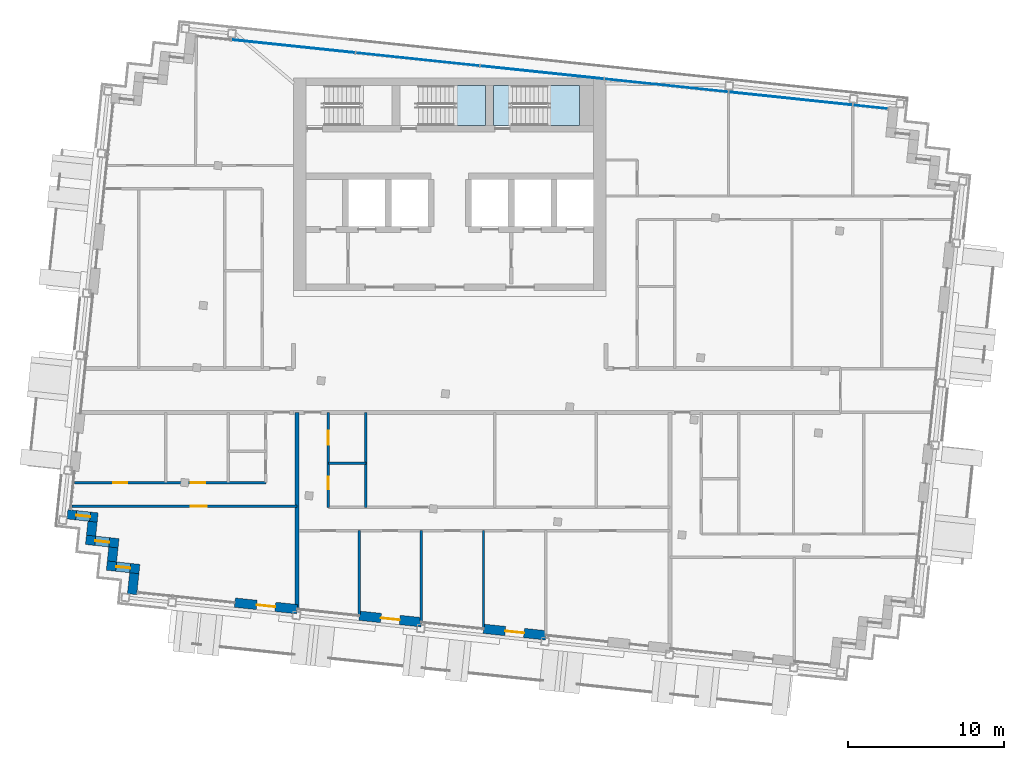
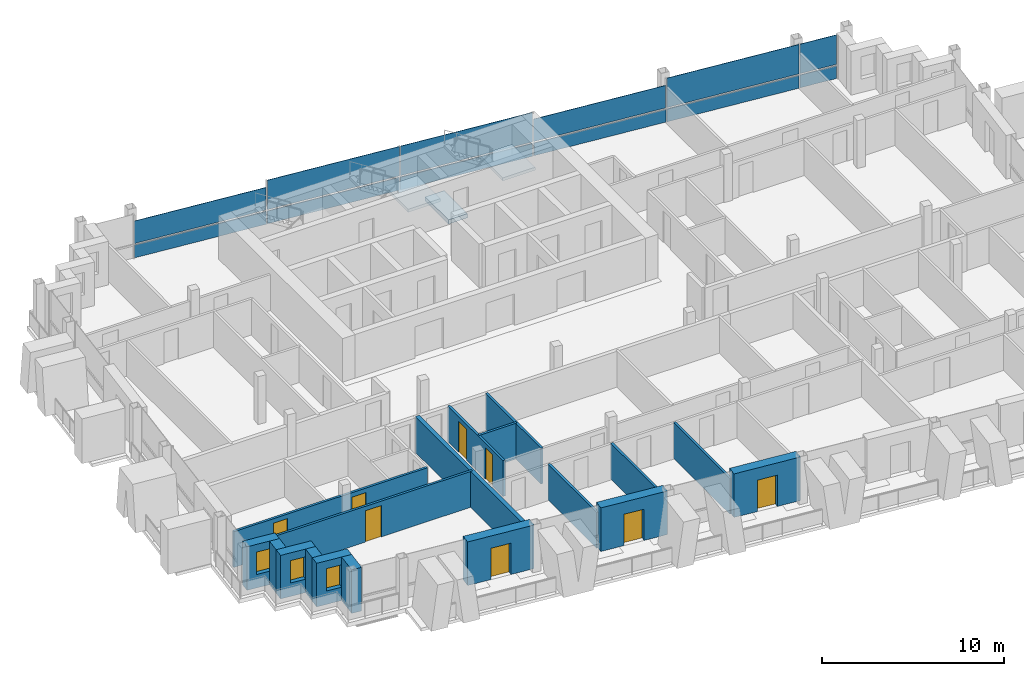
# One storey, part 8 of 16: 18 walls, 12 plates, 8 doors, 3 slabs, 3 windows, 11 openings, 3 elements without a shape of their own.
"""IFC4 building model written with IfcOpenShell, lengths in metres."""

import ifcopenshell
import ifcopenshell.guid

model = None  # the IFC model being written
_history = None  # IfcOwnerHistory: only IFC2X3 demands one
_inside = {}  # id of a spatial element -> (the spatial element, [elements in it])
_under = {}  # id of a project, library or spatial element -> (it, [spatial elements below it])
_declared = {}  # id of a project -> (the project, [libraries it declares])
_typed = {}  # id of a type object -> (the type object, [elements of that type])
_made_of = {}  # id of a material, layer set ... -> (it, [elements and type objects made of it])


def new_model(schema):
    """Start an empty IFC model of exactly this schema.

    Asked for "IFC4X3", IfcOpenShell would pick the latest addendum, in which some entities
    have other attributes; the version numbers below select the first issue.
    IFC2X3 requires an IfcOwnerHistory on every rooted entity: one is made here for all.
    """
    global model, _history
    if schema == "IFC4X3":
        model = ifcopenshell.file(schema_version=(4, 3, 0, 0))
    else:
        model = ifcopenshell.file(schema=schema)
    _inside.clear()
    _under.clear()
    _declared.clear()
    _typed.clear()
    _made_of.clear()
    _history = None
    if model.schema == "IFC2X3":
        org = make("IfcOrganization", Name="unknown")
        user = make(
            "IfcPersonAndOrganization",
            ThePerson=make("IfcPerson", FamilyName="unknown"),
            TheOrganization=org,
        )
        app = make(
            "IfcApplication",
            ApplicationDeveloper=org,
            Version="unknown",
            ApplicationFullName="unknown",
            ApplicationIdentifier="unknown",
        )
        _history = make(
            "IfcOwnerHistory",
            OwningUser=user,
            OwningApplication=app,
            ChangeAction="ADDED",
            CreationDate=0,
        )
    return model


def make(cls, **values):
    """One entity of the class cls with the attributes given. An attribute that is None is left unset."""
    return model.create_entity(
        cls, **{name: value for name, value in values.items() if value is not None}
    )


def rooted(cls, **values):
    """An entity with a GlobalId (a new one), such as an element, a storey or a relation."""
    return make(cls, GlobalId=ifcopenshell.guid.new(), OwnerHistory=_history, **values)


def si_unit(unit_type, name, prefix=None):
    """IfcSIUnit, for example si_unit("LENGTHUNIT", "METRE", prefix="MILLI")."""
    return make("IfcSIUnit", UnitType=unit_type, Prefix=prefix, Name=name)


def assignment(units):
    """IfcUnitAssignment: the units of a project."""
    return None if units is None else make("IfcUnitAssignment", Units=units)


def point(xyz):
    """IfcCartesianPoint."""
    return None if xyz is None else make("IfcCartesianPoint", Coordinates=xyz)


def direction(xyz):
    """IfcDirection."""
    return None if xyz is None else make("IfcDirection", DirectionRatios=xyz)


def frame(location, z_axis=None, x_axis=None):
    """IfcAxis2Placement3D, a coordinate frame: its origin and axes. An axis left out is left unset."""
    return make(
        "IfcAxis2Placement3D",
        Location=point(location),
        Axis=direction(z_axis),
        RefDirection=direction(x_axis),
    )


def frame_2d(location, x_axis=None):
    """IfcAxis2Placement2D, a coordinate frame in the plane: its origin and x axis."""
    return make(
        "IfcAxis2Placement2D", Location=point(location), RefDirection=direction(x_axis)
    )


def origin():
    """The frame at (0, 0, 0) with its axes left unset."""
    return frame((0.0, 0.0, 0.0))


def origin_2d():
    """The frame at (0, 0) in the plane with its x axis left unset."""
    return frame_2d((0.0, 0.0))


def place(relative_to, where):
    """IfcLocalPlacement: puts the frame where relative to a parent placement (None: the world)."""
    return make(
        "IfcLocalPlacement", PlacementRelTo=relative_to, RelativePlacement=where
    )


def context(
    kind, dimensions, precision=None, world=None, true_north=None, identifier=None
):
    """IfcGeometricRepresentationContext, for example the 3D "Model" context."""
    return make(
        "IfcGeometricRepresentationContext",
        ContextIdentifier=identifier,
        ContextType=kind,
        CoordinateSpaceDimension=dimensions,
        Precision=precision,
        WorldCoordinateSystem=world,
        TrueNorth=true_north,
    )


def subcontext(parent, identifier, kind, view, scale=None):
    """IfcGeometricRepresentationSubContext, for example "Body" below "Model"."""
    return make(
        "IfcGeometricRepresentationSubContext",
        ContextIdentifier=identifier,
        ContextType=kind,
        ParentContext=parent,
        TargetScale=scale,
        TargetView=view,
    )


def project(units=None, contexts=None):
    """IfcProject with its units and contexts."""
    return rooted(
        "IfcProject",
        Name="project",
        RepresentationContexts=contexts,
        UnitsInContext=assignment(units),
    )


def spatial(cls, under=None, at=None, **own):
    """A site, building, storey or space (cls), placed at a placement, below another one or the project."""
    s = rooted(cls, ObjectPlacement=at, **own)
    if under is not None:
        _under.setdefault(under.id(), (under, []))[1].append(s)
    return s


def polyline(points):
    """IfcPolyline through the points."""
    return make("IfcPolyline", Points=[point(p) for p in points])


def profile(cls, at=None, kind="AREA", **sizes):
    """A parametric profile (cls). Its sizes go by their IFC names, for example OverallWidth=200.0."""
    return make(cls, ProfileType=kind, Position=at, **sizes)


def rectangle(**sizes):
    """IfcRectangleProfileDef."""
    return profile("IfcRectangleProfileDef", **sizes)


def outline(outer, holes=None, kind="AREA"):
    """IfcArbitraryClosedProfileDef: a profile drawn as a closed curve; with holes, ...WithVoids."""
    if holes is None:
        return make("IfcArbitraryClosedProfileDef", ProfileType=kind, OuterCurve=outer)
    return make(
        "IfcArbitraryProfileDefWithVoids",
        ProfileType=kind,
        OuterCurve=outer,
        InnerCurves=holes,
    )


def extrude(swept, where, along, depth):
    """IfcExtrudedAreaSolid: the profile swept, set in the frame where, extruded along a direction by depth."""
    return make(
        "IfcExtrudedAreaSolid",
        SweptArea=swept,
        Position=where,
        ExtrudedDirection=direction(along),
        Depth=depth,
    )


def shape(context_of_items, identifier, shape_type, items):
    """IfcShapeRepresentation: the items that make up one representation, for example the "Body"."""
    return make(
        "IfcShapeRepresentation",
        ContextOfItems=context_of_items,
        RepresentationIdentifier=identifier,
        RepresentationType=shape_type,
        Items=items,
    )


def material(Name=None, Category=None):
    """IfcMaterial."""
    return make("IfcMaterial", Name=Name, Category=Category)


def layer(
    of_material, thickness, ventilated=None, Name=None, Category=None, Priority=None
):
    """IfcMaterialLayer: one layer of a wall or slab, of a material (None: an air gap)."""
    return make(
        "IfcMaterialLayer",
        Material=of_material,
        LayerThickness=thickness,
        IsVentilated=ventilated,
        Name=Name,
        Category=Category,
        Priority=Priority,
    )


def layer_set(layers, Name=None):
    """IfcMaterialLayerSet."""
    return make("IfcMaterialLayerSet", MaterialLayers=layers, LayerSetName=Name)


def made_of(thing, what):
    """Note that an element or type object is made of a material, layer set ...; save() writes the relation."""
    if what is not None:
        _made_of.setdefault(what.id(), (what, []))[1].append(thing)
    return thing


def type_object(cls, material=None, **own):
    """A type object (cls), such as IfcWallType, which elements share."""
    return made_of(rooted(cls, **own), material)


def element(
    cls,
    number,
    at=None,
    inside=None,
    cuts=None,
    type_object=None,
    material=None,
    context=None,
    identifier="Body",
    shape_type=None,
    held_by="IfcProductDefinitionShape",
    body=None,
    shapes=None,
    **own,
):
    """One element of the class cls, such as IfcWall. Its Tag is "e" and its number.

    at: its placement. inside: the storey or other place that contains it. cuts: it is an
    opening in that element (IfcRelVoidsElement). A single representation is given by context,
    identifier, shape_type and body (its items); several are given by shapes. held_by: the class
    of the entity that holds the representations. save() writes the other relations.
    """
    e = rooted(cls, Tag="e%d" % number, ObjectPlacement=at, **own)
    if body is not None:
        shapes = [shape(context, identifier, shape_type, body)]
    if shapes is not None:
        e.Representation = make(held_by, Representations=shapes)
    if inside is not None:
        _inside.setdefault(inside.id(), (inside, []))[1].append(e)
    if cuts is not None:
        rooted(
            "IfcRelVoidsElement", RelatingBuildingElement=cuts, RelatedOpeningElement=e
        )
    if type_object is not None:
        _typed.setdefault(type_object.id(), (type_object, []))[1].append(e)
    return made_of(e, material)


def fill(opening, filler):
    """IfcRelFillsElement: the door or window that sits in an opening."""
    return rooted(
        "IfcRelFillsElement",
        RelatingOpeningElement=opening,
        RelatedBuildingElement=filler,
    )


def aggregate(whole, parts):
    """IfcRelAggregates: a whole, such as a stair, and the parts it consists of."""
    return rooted("IfcRelAggregates", RelatingObject=whole, RelatedObjects=parts)


def save(model, path):
    """Write the relations noted so far, then the file.

    IfcRelAggregates (storeys below a building ...), IfcRelContainedInSpatialStructure (elements
    in a storey), IfcRelDefinesByType, IfcRelAssociatesMaterial and IfcRelDeclares: one each for
    every whole, place, type object, material and project.
    """
    for whole, parts in _under.values():
        aggregate(whole, parts)
    for where, things in _inside.values():
        rooted(
            "IfcRelContainedInSpatialStructure",
            RelatedElements=things,
            RelatingStructure=where,
        )
    for kind, things in _typed.values():
        rooted("IfcRelDefinesByType", RelatedObjects=things, RelatingType=kind)
    for what, things in _made_of.values():
        rooted("IfcRelAssociatesMaterial", RelatedObjects=things, RelatingMaterial=what)
    for by, libraries in _declared.values():
        rooted("IfcRelDeclares", RelatingContext=by, RelatedDefinitions=libraries)
    model.write(path)


model = new_model("IFC4")

# Units and contexts
model_context = context("Model", 3, precision=1e-05, world=origin(), true_north=direction((0.0, 1.0)))
body_context = subcontext(model_context, "Body", "Model", "MODEL_VIEW")
ifc_project = project(units=[si_unit("LENGTHUNIT", "METRE"), si_unit("AREAUNIT", "SQUARE_METRE"), si_unit("VOLUMEUNIT", "CUBIC_METRE"), si_unit("PLANEANGLEUNIT", "RADIAN"), si_unit("MASSUNIT", "GRAM", prefix="KILO")], contexts=[model_context])

# Site, building, storey
site_placement = place(None, origin())
site = spatial("IfcSite", under=ifc_project, at=site_placement, CompositionType="ELEMENT")
building_placement = place(site_placement, origin())
building = spatial("IfcBuilding", under=site, at=building_placement, Name="Vidyagriha Tower", CompositionType="ELEMENT")
storey_placement = place(building_placement, frame((0.0, 0.0, 256.300048828125)))
storey = spatial("IfcBuildingStorey", under=building, at=storey_placement, Name="L66", CompositionType="ELEMENT", Elevation=256.300048828125)

# Curtain wall, plates
ifc_material_1 = material(Name="Aluminium and glass curtain wall", Category="aluminium")
curtain_wall_type = type_object("IfcCurtainWallType", Name="Dwelling skin unitised curtain wall", PredefinedType="USERDEFINED", material=ifc_material_1)
curtain_wall_placement = place(storey_placement, origin())
curtain_wall = element("IfcCurtainWall", 1, at=curtain_wall_placement, inside=storey, type_object=curtain_wall_type, Name="CW1 dwelling skin", ObjectType="UNITISED", PredefinedType="USERDEFINED")
ifc_material_2 = material(Name="Glass dark ceramic-fritted spandrel", Category="glass")
ifc_layer_1 = layer(ifc_material_2, 0.0400390625)
ifc_layer_set_1 = layer_set([ifc_layer_1], Name="Glass dark ceramic-fritted spandrel")
plate_type_1 = type_object("IfcPlateType", Name="Ceramic-fritted spandrel panel", PredefinedType="CURTAIN_PANEL", material=ifc_layer_set_1)
plate_1_placement = place(storey_placement, frame((26.922607421875, 18.14599609375, 0.0), z_axis=(0.0, 0.0, 1.0), x_axis=(-0.994521854435, 0.104528852722, 0.0)))
plate_1 = element("IfcPlate", 2, at=plate_1_placement, type_object=plate_type_1, Name="CW1 panel 1.1", PredefinedType="CURTAIN_PANEL", context=body_context, shape_type="SweptSolid", body=[
    extrude(rectangle(XDim=2.195068359375, YDim=0.0400390625, at=origin_2d()), origin(), (0.0, 0.0, 1.0), 0.85009765625),
])
plate_2_placement = place(storey_placement, frame((13.862060546875, 19.518798828125, 0.0), z_axis=(0.0, 0.0, 1.0), x_axis=(-0.994521854435, 0.104528852722, 0.0)))
plate_2 = element("IfcPlate", 3, at=plate_2_placement, type_object=plate_type_1, Name="CW1 panel 3.1", PredefinedType="CURTAIN_PANEL", context=body_context, shape_type="SweptSolid", body=[
    extrude(rectangle(XDim=7.929931640625, YDim=0.0400390625, at=origin_2d()), origin(), (0.0, 0.0, 1.0), 0.85009765625),
])
plate_3_placement = place(storey_placement, frame((-2.05029296875, 21.191162109375, 0.0), z_axis=(0.0, 0.0, 1.0), x_axis=(-0.994521854435, 0.104528852722, 0.0)))
plate_3 = element("IfcPlate", 4, at=plate_3_placement, type_object=plate_type_1, Name="CW1 panel 5.1", PredefinedType="CURTAIN_PANEL", context=body_context, shape_type="SweptSolid", body=[
    extrude(rectangle(XDim=7.929931640625, YDim=0.0400390625, at=origin_2d()), origin(), (0.0, 0.0, 1.0), 0.85009765625),
])
ifc_material_3 = material(Name="Glass dark ceramic-fritted", Category="glass")
ifc_layer_2 = layer(ifc_material_3, 0.028076171875)
ifc_layer_set_2 = layer_set([ifc_layer_2], Name="Glass dark ceramic-fritted")
plate_type_2 = type_object("IfcPlateType", Name="Dark ceramic-fritted vision glass panel", PredefinedType="CURTAIN_PANEL", material=ifc_layer_set_2)
plate_4_placement = place(storey_placement, frame((26.922607421875, 18.14599609375, 0.9501953125), z_axis=(0.0, 0.0, 1.0), x_axis=(-0.994521854435, 0.104528852722, 0.0)))
plate_4 = element("IfcPlate", 5, at=plate_4_placement, type_object=plate_type_2, Name="CW1 panel 1.2", PredefinedType="CURTAIN_PANEL", context=body_context, shape_type="SweptSolid", body=[
    extrude(rectangle(XDim=2.195068359375, YDim=0.028076171875, at=origin_2d()), origin(), (0.0, 0.0, 1.0), 1.969970703125),
])
plate_5_placement = place(storey_placement, frame((21.818359375, 18.6826171875, 0.9501953125), z_axis=(0.0, 0.0, 1.0), x_axis=(-0.994521854435, 0.104528852722, 0.0)))
plate_5 = element("IfcPlate", 6, at=plate_5_placement, type_object=plate_type_2, Name="CW1 panel 2.2", PredefinedType="CURTAIN_PANEL", context=body_context, shape_type="SweptSolid", body=[
    extrude(rectangle(XDim=7.929931640625, YDim=0.028076171875, at=origin_2d()), origin(), (0.0, 0.0, 1.0), 1.969970703125),
])
plate_6_placement = place(storey_placement, frame((13.862060546875, 19.518798828125, 0.949951171875), z_axis=(0.0, 0.0, 1.0), x_axis=(-0.994521854435, 0.104528852722, 0.0)))
plate_6 = element("IfcPlate", 7, at=plate_6_placement, type_object=plate_type_2, Name="CW1 panel 3.2", PredefinedType="CURTAIN_PANEL", context=body_context, shape_type="SweptSolid", body=[
    extrude(rectangle(XDim=7.929931640625, YDim=0.028076171875, at=origin_2d()), origin(), (0.0, 0.0, 1.0), 1.5078125),
])
plate_7_placement = place(storey_placement, frame((5.906005859375, 20.35498046875, 0.9501953125), z_axis=(0.0, 0.0, 1.0), x_axis=(-0.994521854435, 0.104528852722, 0.0)))
plate_7 = element("IfcPlate", 8, at=plate_7_placement, type_object=plate_type_2, Name="CW1 panel 4.2", PredefinedType="CURTAIN_PANEL", context=body_context, shape_type="SweptSolid", body=[
    extrude(rectangle(XDim=7.929931640625, YDim=0.028076171875, at=origin_2d()), origin(), (0.0, 0.0, 1.0), 1.969970703125),
])
plate_8_placement = place(storey_placement, frame((-2.05029296875, 21.191162109375, 0.9501953125), z_axis=(0.0, 0.0, 1.0), x_axis=(-0.994521854435, 0.104528852722, 0.0)))
plate_8 = element("IfcPlate", 9, at=plate_8_placement, type_object=plate_type_2, Name="CW1 panel 5.2", PredefinedType="CURTAIN_PANEL", context=body_context, shape_type="SweptSolid", body=[
    extrude(rectangle(XDim=7.929931640625, YDim=0.028076171875, at=origin_2d()), origin(), (0.0, 0.0, 1.0), 1.969970703125),
])
plate_9_placement = place(storey_placement, frame((-10.00634765625, 22.027587890625, 0.949951171875), z_axis=(0.0, 0.0, 1.0), x_axis=(-0.994521854435, 0.104528852722, 0.0)))
plate_9 = element("IfcPlate", 10, at=plate_9_placement, type_object=plate_type_2, Name="CW1 panel 6.2", PredefinedType="CURTAIN_PANEL", context=body_context, shape_type="SweptSolid", body=[
    extrude(rectangle(XDim=7.929931640625, YDim=0.028076171875, at=origin_2d()), origin(), (0.0, 0.0, 1.0), 1.5078125),
])

# Slab
ifc_material_4 = material(Name="Concrete C40/50", Category="concrete")
ifc_layer_3 = layer(ifc_material_4, 0.280029296875)
ifc_layer_set_3 = layer_set([ifc_layer_3], Name="Concrete C40/50")
slab_type_1 = type_object("IfcSlabType", Name="Exit stair floor landing 280 mm", PredefinedType="LANDING", material=ifc_layer_set_3)
slab_1_placement = place(storey_placement, frame((0.0, 0.0, -0.280029296875)))
element("IfcSlab", 11, at=slab_1_placement, inside=storey, type_object=slab_type_1, Name="ST3 floor landing L66", PredefinedType="LANDING", context=body_context, shape_type="SweptSolid", body=[
    extrude(outline(polyline([(2.800048828125, 16.949951171875), (4.0, 16.949951171875), (4.0, 19.5), (2.800048828125, 19.5), (2.800048828125, 16.949951171875)])), origin(), (0.0, 0.0, 1.0), 0.280029296875),
])

# Stair, slab
ifc_material_5 = material(Name="Concrete C40/50", Category="concrete")
stair_type = type_object("IfcStairType", Name="Exit stair, half-turn, precast flights", PredefinedType="HALF_TURN_STAIR", material=ifc_material_5)
stair_1_placement = place(storey_placement, origin())
stair_1 = element("IfcStair", 12, at=stair_1_placement, inside=storey, type_object=stair_type, Name="L66 Exit Stair ST2", PredefinedType="HALF_TURN_STAIR")
ifc_material_6 = material(Name="Concrete C40/50", Category="concrete")
ifc_layer_4 = layer(ifc_material_6, 0.199951171875)
ifc_layer_set_4 = layer_set([ifc_layer_4], Name="Concrete C40/50")
slab_type_2 = type_object("IfcSlabType", Name="Exit stair landing 200 mm", PredefinedType="LANDING", material=ifc_layer_set_4)
slab_2_placement = place(storey_placement, frame((0.0, 0.0, 1.39990234375)))
slab_2 = element("IfcSlab", 13, at=slab_2_placement, type_object=slab_type_2, Name="ST2 landing 1", PredefinedType="LANDING", context=body_context, shape_type="SweptSolid", body=[
    extrude(outline(polyline([(0.239990234375, 16.949951171875), (2.300048828125, 16.949951171875), (2.300048828125, 19.5), (0.239990234375, 19.5), (0.239990234375, 16.949951171875)])), origin(), (0.0, 0.0, 1.0), 0.199951171875),
])
aggregate(stair_1, [slab_2])

stair_2_placement = place(storey_placement, origin())
stair_2 = element("IfcStair", 14, at=stair_2_placement, inside=storey, type_object=stair_type, Name="L66 Exit Stair ST3", PredefinedType="HALF_TURN_STAIR")
slab_3_placement = place(storey_placement, frame((0.0, 0.0, 1.39990234375)))
slab_3 = element("IfcSlab", 15, at=slab_3_placement, type_object=slab_type_2, Name="ST3 landing 1", PredefinedType="LANDING", context=body_context, shape_type="SweptSolid", body=[
    extrude(outline(polyline([(6.239990234375, 16.949951171875), (8.300048828125, 16.949951171875), (8.300048828125, 19.5), (6.239990234375, 19.5), (6.239990234375, 16.949951171875)])), origin(), (0.0, 0.0, 1.0), 0.199951171875),
])
aggregate(stair_2, [slab_3])

# Plate
ifc_material_7 = material(Name="Aluminium black anodised", Category="aluminium")
ifc_layer_5 = layer(ifc_material_7, 0.06005859375)
ifc_layer_set_5 = layer_set([ifc_layer_5], Name="Aluminium black anodised")
plate_type_3 = type_object("IfcPlateType", Name="Operable black-metal vent panel", PredefinedType="CURTAIN_PANEL", material=ifc_layer_set_5)
plate_10_placement = place(storey_placement, frame((21.818359375, 18.6826171875, 0.0), z_axis=(0.0, 0.0, 1.0), x_axis=(-0.994521854435, 0.104528852722, 0.0)))
plate_10 = element("IfcPlate", 16, at=plate_10_placement, type_object=plate_type_3, Name="CW1 panel 2.1", PredefinedType="CURTAIN_PANEL", context=body_context, shape_type="SweptSolid", body=[
    extrude(rectangle(XDim=7.929931640625, YDim=0.06005859375, at=origin_2d()), origin(), (0.0, 0.0, 1.0), 0.85009765625),
])

plate_11_placement = place(storey_placement, frame((5.906005859375, 20.35498046875, 0.0), z_axis=(0.0, 0.0, 1.0), x_axis=(-0.994521854435, 0.104528852722, 0.0)))
plate_11 = element("IfcPlate", 17, at=plate_11_placement, type_object=plate_type_3, Name="CW1 panel 4.1", PredefinedType="CURTAIN_PANEL", context=body_context, shape_type="SweptSolid", body=[
    extrude(rectangle(XDim=7.929931640625, YDim=0.06005859375, at=origin_2d()), origin(), (0.0, 0.0, 1.0), 0.85009765625),
])

plate_12_placement = place(storey_placement, frame((-10.00634765625, 22.027587890625, 0.0), z_axis=(0.0, 0.0, 1.0), x_axis=(-0.994521854435, 0.104528852722, 0.0)))
plate_12 = element("IfcPlate", 18, at=plate_12_placement, type_object=plate_type_3, Name="CW1 panel 6.1", PredefinedType="CURTAIN_PANEL", context=body_context, shape_type="SweptSolid", body=[
    extrude(rectangle(XDim=7.929931640625, YDim=0.06005859375, at=origin_2d()), origin(), (0.0, 0.0, 1.0), 0.85009765625),
])

aggregate(curtain_wall, [plate_1, plate_4, plate_10, plate_5, plate_2, plate_6, plate_11, plate_7, plate_3, plate_8, plate_12, plate_9])

# Wall, opening, window
ifc_material_8 = material(Name="Precast concrete C40/50 with brick facing", Category="concrete")
ifc_layer_6 = layer(ifc_material_8, 0.60009765625)
ifc_layer_set_6 = layer_set([ifc_layer_6], Name="Precast concrete C40/50 with brick facing")
wall_type_1 = type_object("IfcWallType", Name="Brick-faced precast wall 600", PredefinedType="STANDARD", material=ifc_layer_set_6)
wall_1_placement = place(storey_placement, frame((-24.466552734375, -7.92529296875, 0.0), z_axis=(0.0, 0.0, 1.0), x_axis=(0.994521219184, -0.104534896528, 0.0)))
wall_1 = element("IfcWall", 19, at=wall_1_placement, inside=storey, type_object=wall_type_1, Name="Stepped corner wall L66 R15", PredefinedType="STANDARD", context=body_context, shape_type="SweptSolid", body=[
    extrude(rectangle(XDim=1.9501953125, YDim=0.60009765625, at=frame_2d((0.97509765625, 0.0))), origin(), (0.0, 0.0, 1.0), 2.919921875),
])
opening_1_placement = place(wall_1_placement, frame((0.56005859375, 0.0, 0.89990234375)))
opening_1 = element("IfcOpeningElement", 20, at=opening_1_placement, cuts=wall_1, Name="Opening WN1", PredefinedType="OPENING", context=body_context, shape_type="SweptSolid", body=[
    extrude(rectangle(XDim=0.89990234375, YDim=1.5, at=frame_2d((0.449951171875, 0.75))), frame((0.0, 0.31005859375, 0.0), z_axis=(0.0, -1.0, 0.0), x_axis=(1.0, 0.0, 0.0)), (0.0, 0.0, 1.0), 0.6201171875),
])
ifc_material_9 = material(Name="Aluminium and glass window", Category="aluminium")
window_type = type_object("IfcWindowType", Name="Reveal window 900x1500", PartitioningType="NOTDEFINED", PredefinedType="WINDOW", material=ifc_material_9)
window_1_placement = place(opening_1_placement, origin())
window_1 = element("IfcWindow", 21, at=window_1_placement, inside=storey, type_object=window_type, Name="Reveal window L66 R15", OverallHeight=1.5, OverallWidth=0.89990234375, PartitioningType="SINGLE_PANEL", PredefinedType="WINDOW", context=body_context, shape_type="SweptSolid", body=[
    extrude(rectangle(XDim=0.89990234375, YDim=1.5, at=frame_2d((0.449951171875, 0.75))), frame((0.0, 0.030029296875, 0.0), z_axis=(0.0, -1.0, 0.0), x_axis=(1.0, 0.0, 0.0)), (0.0, 0.0, 1.0), 0.06005859375),
])
fill(opening_1, window_1)

# Wall
wall_2_placement = place(storey_placement, frame((-22.85693359375, -8.39599609375, 0.0), z_axis=(0.0, 0.0, 1.0), x_axis=(-0.104444712852, -0.994530694326, 0.0)))
element("IfcWall", 22, at=wall_2_placement, inside=storey, type_object=wall_type_1, Name="Stepped corner wall L66 R16", PredefinedType="STANDARD", context=body_context, shape_type="SweptSolid", body=[
    extrude(rectangle(XDim=0.89990234375, YDim=0.60009765625, at=frame_2d((0.449951171875, 0.0))), origin(), (0.0, 0.0, 1.0), 2.919921875),
])

# Wall, opening, window
wall_3_placement = place(storey_placement, frame((-23.28076171875, -9.55810546875, 0.0), z_axis=(0.0, 0.0, 1.0), x_axis=(0.994523910136, -0.104509292252, 0.0)))
wall_3 = element("IfcWall", 23, at=wall_3_placement, inside=storey, type_object=wall_type_1, Name="Stepped corner wall L66 R17", PredefinedType="STANDARD", context=body_context, shape_type="SweptSolid", body=[
    extrude(rectangle(XDim=2.10009765625, YDim=0.60009765625, at=frame_2d((1.050048828125, 0.0))), origin(), (0.0, 0.0, 1.0), 2.919921875),
])
opening_2_placement = place(wall_3_placement, frame((0.60009765625, 0.0, 0.89990234375)))
opening_2 = element("IfcOpeningElement", 24, at=opening_2_placement, cuts=wall_3, Name="Opening WN1", PredefinedType="OPENING", context=body_context, shape_type="SweptSolid", body=[
    extrude(rectangle(XDim=0.89990234375, YDim=1.5, at=frame_2d((0.449951171875, 0.75))), frame((0.0, 0.31005859375, 0.0), z_axis=(0.0, -1.0, 0.0), x_axis=(1.0, 0.0, 0.0)), (0.0, 0.0, 1.0), 0.6201171875),
])
window_2_placement = place(opening_2_placement, origin())
window_2 = element("IfcWindow", 25, at=window_2_placement, inside=storey, type_object=window_type, Name="Reveal window L66 R17", OverallHeight=1.5, OverallWidth=0.89990234375, PartitioningType="SINGLE_PANEL", PredefinedType="WINDOW", context=body_context, shape_type="SweptSolid", body=[
    extrude(rectangle(XDim=0.89990234375, YDim=1.5, at=frame_2d((0.449951171875, 0.75))), frame((0.0, 0.030029296875, 0.0), z_axis=(0.0, -1.0, 0.0), x_axis=(1.0, 0.0, 0.0)), (0.0, 0.0, 1.0), 0.06005859375),
])
fill(opening_2, window_2)

# Wall
wall_4_placement = place(storey_placement, frame((-21.52197265625, -10.04443359375, 0.0), z_axis=(0.0, 0.0, 1.0), x_axis=(-0.104416541099, -0.994533652495, 0.0)))
element("IfcWall", 26, at=wall_4_placement, inside=storey, type_object=wall_type_1, Name="Stepped corner wall L66 R18", PredefinedType="STANDARD", context=body_context, shape_type="SweptSolid", body=[
    extrude(rectangle(XDim=0.900146484375, YDim=0.60009765625, at=frame_2d((0.4501953125, 0.0))), origin(), (0.0, 0.0, 1.0), 2.919921875),
])

# Wall, opening, window
wall_5_placement = place(storey_placement, frame((-21.94580078125, -11.20654296875, 0.0), z_axis=(0.0, 0.0, 1.0), x_axis=(0.994511820899, -0.104624271047, 0.0)))
wall_5 = element("IfcWall", 27, at=wall_5_placement, inside=storey, type_object=wall_type_1, Name="Stepped corner wall L66 R19", PredefinedType="STANDARD", context=body_context, shape_type="SweptSolid", body=[
    extrude(rectangle(XDim=2.10009765625, YDim=0.60009765625, at=frame_2d((1.050048828125, 0.0))), origin(), (0.0, 0.0, 1.0), 2.919921875),
])
opening_3_placement = place(wall_5_placement, frame((0.60009765625, 0.0, 0.89990234375)))
opening_3 = element("IfcOpeningElement", 28, at=opening_3_placement, cuts=wall_5, Name="Opening WN1", PredefinedType="OPENING", context=body_context, shape_type="SweptSolid", body=[
    extrude(rectangle(XDim=0.89990234375, YDim=1.5, at=frame_2d((0.449951171875, 0.75))), frame((0.0, 0.31005859375, 0.0), z_axis=(0.0, -1.0, 0.0), x_axis=(1.0, 0.0, 0.0)), (0.0, 0.0, 1.0), 0.6201171875),
])
window_3_placement = place(opening_3_placement, origin())
window_3 = element("IfcWindow", 29, at=window_3_placement, inside=storey, type_object=window_type, Name="Reveal window L66 R19", OverallHeight=1.5, OverallWidth=0.89990234375, PartitioningType="SINGLE_PANEL", PredefinedType="WINDOW", context=body_context, shape_type="SweptSolid", body=[
    extrude(rectangle(XDim=0.89990234375, YDim=1.5, at=frame_2d((0.449951171875, 0.75))), frame((0.0, 0.030029296875, 0.0), z_axis=(0.0, -1.0, 0.0), x_axis=(1.0, 0.0, 0.0)), (0.0, 0.0, 1.0), 0.06005859375),
])
fill(opening_3, window_3)

# Wall
wall_6_placement = place(storey_placement, frame((-20.18701171875, -11.693115234375, 0.0), z_axis=(0.0, 0.0, 1.0), x_axis=(-0.1043365026, -0.994542052517, 0.0)))
element("IfcWall", 30, at=wall_6_placement, inside=storey, type_object=wall_type_1, Name="Stepped corner wall L66 R20", PredefinedType="STANDARD", context=body_context, shape_type="SweptSolid", body=[
    extrude(rectangle(XDim=1.35009765625, YDim=0.60009765625, at=frame_2d((0.675048828125, 0.0))), origin(), (0.0, 0.0, 1.0), 2.919921875),
])

# Wall, opening, door
wall_7_placement = place(storey_placement, frame((-13.74853515625, -13.576416015625, 0.0), z_axis=(0.0, 0.0, 1.0), x_axis=(0.994519156568, -0.104554517933, 0.0)))
wall_7 = element("IfcWall", 31, at=wall_7_placement, inside=storey, type_object=wall_type_1, Name="Brick door bay wall L66 R21.3", PredefinedType="STANDARD", context=body_context, shape_type="SweptSolid", body=[
    extrude(rectangle(XDim=4.0, YDim=0.60009765625, at=frame_2d((2.0, 0.0))), origin(), (0.0, 0.0, 1.0), 2.919921875),
])
opening_4_placement = place(wall_7_placement, frame((1.39990234375, 0.0, 0.0)))
opening_4 = element("IfcOpeningElement", 32, at=opening_4_placement, cuts=wall_7, Name="Opening D66-55", PredefinedType="OPENING", context=body_context, shape_type="SweptSolid", body=[
    extrude(rectangle(XDim=1.199951171875, YDim=2.10009765625, at=frame_2d((0.60009765625, 1.050048828125))), frame((0.0, 0.31005859375, 0.0), z_axis=(0.0, -1.0, 0.0), x_axis=(1.0, 0.0, 0.0)), (0.0, 0.0, 1.0), 0.6201171875),
])
ifc_material_10 = material(Name="Aluminium framed glazed sliding door", Category="aluminium")
door_type_1 = type_object("IfcDoorType", Name="Balcony sliding door 1200x2100", OperationType="NOTDEFINED", PredefinedType="DOOR", material=ifc_material_10)
door_1_placement = place(opening_4_placement, origin())
door_1 = element("IfcDoor", 33, at=door_1_placement, inside=storey, type_object=door_type_1, Name="Door D66-55", OperationType="SLIDING_TO_LEFT", OverallHeight=2.10009765625, OverallWidth=1.199951171875, PredefinedType="DOOR", context=body_context, shape_type="SweptSolid", body=[
    extrude(rectangle(XDim=1.199951171875, YDim=2.10009765625, at=frame_2d((0.60009765625, 1.050048828125))), frame((0.0, 0.02490234375, 0.0), z_axis=(0.0, -1.0, 0.0), x_axis=(1.0, 0.0, 0.0)), (0.0, 0.0, 1.0), 0.050048828125),
])
fill(opening_4, door_1)

wall_8_placement = place(storey_placement, frame((-5.792236328125, -14.412841796875, 0.0), z_axis=(0.0, 0.0, 1.0), x_axis=(0.99452550138, -0.104494148666, 0.0)))
wall_8 = element("IfcWall", 34, at=wall_8_placement, inside=storey, type_object=wall_type_1, Name="Brick door bay wall L66 R21.5", PredefinedType="STANDARD", context=body_context, shape_type="SweptSolid", body=[
    extrude(rectangle(XDim=4.0, YDim=0.60009765625, at=frame_2d((2.0, 0.0))), origin(), (0.0, 0.0, 1.0), 2.919921875),
])
opening_5_placement = place(wall_8_placement, frame((1.39990234375, 0.0, 0.0)))
opening_5 = element("IfcOpeningElement", 35, at=opening_5_placement, cuts=wall_8, Name="Opening D66-56", PredefinedType="OPENING", context=body_context, shape_type="SweptSolid", body=[
    extrude(rectangle(XDim=1.199951171875, YDim=2.10009765625, at=frame_2d((0.60009765625, 1.050048828125))), frame((0.0, 0.31005859375, 0.0), z_axis=(0.0, -1.0, 0.0), x_axis=(1.0, 0.0, 0.0)), (0.0, 0.0, 1.0), 0.6201171875),
])
door_2_placement = place(opening_5_placement, origin())
door_2 = element("IfcDoor", 36, at=door_2_placement, inside=storey, type_object=door_type_1, Name="Door D66-56", OperationType="SLIDING_TO_LEFT", OverallHeight=2.10009765625, OverallWidth=1.199951171875, PredefinedType="DOOR", context=body_context, shape_type="SweptSolid", body=[
    extrude(rectangle(XDim=1.199951171875, YDim=2.10009765625, at=frame_2d((0.60009765625, 1.050048828125))), frame((0.0, 0.02490234375, 0.0), z_axis=(0.0, -1.0, 0.0), x_axis=(1.0, 0.0, 0.0)), (0.0, 0.0, 1.0), 0.050048828125),
])
fill(opening_5, door_2)

wall_9_placement = place(storey_placement, frame((2.163818359375, -15.2490234375, 0.0), z_axis=(0.0, 0.0, 1.0), x_axis=(0.99452550138, -0.104494148666, 0.0)))
wall_9 = element("IfcWall", 37, at=wall_9_placement, inside=storey, type_object=wall_type_1, Name="Brick door bay wall L66 R21.7", PredefinedType="STANDARD", context=body_context, shape_type="SweptSolid", body=[
    extrude(rectangle(XDim=4.0, YDim=0.60009765625, at=frame_2d((2.0, 0.0))), origin(), (0.0, 0.0, 1.0), 2.919921875),
])
opening_6_placement = place(wall_9_placement, frame((1.39990234375, 0.0, 0.0)))
opening_6 = element("IfcOpeningElement", 38, at=opening_6_placement, cuts=wall_9, Name="Opening D66-57", PredefinedType="OPENING", context=body_context, shape_type="SweptSolid", body=[
    extrude(rectangle(XDim=1.199951171875, YDim=2.10009765625, at=frame_2d((0.60009765625, 1.050048828125))), frame((0.0, 0.31005859375, 0.0), z_axis=(0.0, -1.0, 0.0), x_axis=(1.0, 0.0, 0.0)), (0.0, 0.0, 1.0), 0.6201171875),
])
door_3_placement = place(opening_6_placement, origin())
door_3 = element("IfcDoor", 39, at=door_3_placement, inside=storey, type_object=door_type_1, Name="Door D66-57", OperationType="SLIDING_TO_LEFT", OverallHeight=2.10009765625, OverallWidth=1.199951171875, PredefinedType="DOOR", context=body_context, shape_type="SweptSolid", body=[
    extrude(rectangle(XDim=1.199951171875, YDim=2.10009765625, at=frame_2d((0.60009765625, 1.050048828125))), frame((0.0, 0.02490234375, 0.0), z_axis=(0.0, -1.0, 0.0), x_axis=(1.0, 0.0, 0.0)), (0.0, 0.0, 1.0), 0.050048828125),
])
fill(opening_6, door_3)

# Wall
ifc_material_11 = material(Name="Fired clay brick masonry", Category="masonry")
ifc_layer_7 = layer(ifc_material_11, 0.25)
ifc_layer_set_7 = layer_set([ifc_layer_7], Name="Fired clay brick masonry")
wall_type_2 = type_object("IfcWallType", Name="Fired clay brick demising wall 250", PredefinedType="PARTITIONING", material=ifc_layer_set_7)
wall_10_placement = place(storey_placement, frame((-9.77001953125, -1.39990234375, 0.0), z_axis=(0.0, 0.0, 1.0), x_axis=(0.0, -1.0, 0.0)))
element("IfcWall", 40, at=wall_10_placement, inside=storey, type_object=wall_type_2, Name="Wall all-L66-w035", PredefinedType="PARTITIONING", context=body_context, shape_type="SweptSolid", body=[
    extrude(rectangle(XDim=12.50439453125, YDim=0.25, at=frame_2d((6.252197265625, 0.0))), origin(), (0.0, 0.0, 1.0), 2.39990234375),
])

# Wall, openings, doors
ifc_material_12 = material(Name="Gypsum board partition")
ifc_layer_8 = layer(ifc_material_12, 0.14990234375)
ifc_layer_set_8 = layer_set([ifc_layer_8], Name="Gypsum board partition")
wall_type_3 = type_object("IfcWallType", Name="Gypsum board partition 150", PredefinedType="PARTITIONING", material=ifc_layer_set_8)
wall_11_placement = place(storey_placement, frame((-24.0234375, -5.89990234375, 0.0)))
wall_11 = element("IfcWall", 41, at=wall_11_placement, inside=storey, type_object=wall_type_3, Name="Wall all-L66-w007", PredefinedType="PARTITIONING", context=body_context, shape_type="SweptSolid", body=[
    extrude(rectangle(XDim=12.25341796875, YDim=0.14990234375, at=frame_2d((6.126708984375, 0.0))), origin(), (0.0, 0.0, 1.0), 2.39990234375),
])
opening_7_placement = place(wall_11_placement, frame((7.46484375, 0.0, 0.0)))
opening_7 = element("IfcOpeningElement", 42, at=opening_7_placement, cuts=wall_11, Name="Opening D66-12", PredefinedType="OPENING", context=body_context, shape_type="SweptSolid", body=[
    extrude(rectangle(XDim=0.89990234375, YDim=2.10009765625, at=frame_2d((0.449951171875, 1.050048828125))), frame((0.0, 0.0849609375, 0.0), z_axis=(0.0, -1.0, 0.0), x_axis=(1.0, 0.0, 0.0)), (0.0, 0.0, 1.0), 0.169921875),
])
opening_8_placement = place(wall_11_placement, frame((2.494384765625, 0.0, 0.0)))
opening_8 = element("IfcOpeningElement", 43, at=opening_8_placement, cuts=wall_11, Name="Opening D66-13", PredefinedType="OPENING", context=body_context, shape_type="SweptSolid", body=[
    extrude(rectangle(XDim=0.89990234375, YDim=2.10009765625, at=frame_2d((0.449951171875, 1.050048828125))), frame((0.0, 0.0849609375, 0.0), z_axis=(0.0, -1.0, 0.0), x_axis=(1.0, 0.0, 0.0)), (0.0, 0.0, 1.0), 0.169921875),
])
ifc_material_13 = material(Name="Timber door leaf", Category="wood")
door_type_2 = type_object("IfcDoorType", Name="Room door 900x2100", OperationType="NOTDEFINED", PredefinedType="DOOR", material=ifc_material_13)
door_4_placement = place(opening_7_placement, origin())
door_4 = element("IfcDoor", 44, at=door_4_placement, inside=storey, type_object=door_type_2, Name="Door D66-12", OperationType="SINGLE_SWING_RIGHT", OverallHeight=2.10009765625, OverallWidth=0.89990234375, PredefinedType="DOOR", context=body_context, shape_type="SweptSolid", body=[
    extrude(rectangle(XDim=0.89990234375, YDim=2.10009765625, at=frame_2d((0.449951171875, 1.050048828125))), frame((0.0, 0.02490234375, 0.0), z_axis=(0.0, -1.0, 0.0), x_axis=(1.0, 0.0, 0.0)), (0.0, 0.0, 1.0), 0.050048828125),
])
fill(opening_7, door_4)
door_5_placement = place(opening_8_placement, origin())
door_5 = element("IfcDoor", 45, at=door_5_placement, inside=storey, type_object=door_type_2, Name="Door D66-13", OperationType="SINGLE_SWING_LEFT", OverallHeight=2.10009765625, OverallWidth=0.89990234375, PredefinedType="DOOR", context=body_context, shape_type="SweptSolid", body=[
    extrude(rectangle(XDim=0.89990234375, YDim=2.10009765625, at=frame_2d((0.449951171875, 1.050048828125))), frame((0.0, 0.02490234375, 0.0), z_axis=(0.0, -1.0, 0.0), x_axis=(1.0, 0.0, 0.0)), (0.0, 0.0, 1.0), 0.050048828125),
])
fill(opening_8, door_5)

# Wall, opening, door
wall_12_placement = place(storey_placement, frame((-9.77001953125, -7.39990234375, 0.0), z_axis=(0.0, 0.0, 1.0), x_axis=(-1.0, 0.0, 0.0)))
wall_12 = element("IfcWall", 46, at=wall_12_placement, inside=storey, type_object=wall_type_3, Name="Wall all-L66-w010", PredefinedType="PARTITIONING", context=body_context, shape_type="SweptSolid", body=[
    extrude(rectangle(XDim=14.4111328125, YDim=0.14990234375, at=frame_2d((7.20556640625, 0.0))), origin(), (0.0, 0.0, 1.0), 2.39990234375),
])
opening_9_placement = place(wall_12_placement, frame((5.78857421875, 0.0, 0.0)))
opening_9 = element("IfcOpeningElement", 47, at=opening_9_placement, cuts=wall_12, Name="Opening D66-14", PredefinedType="OPENING", context=body_context, shape_type="SweptSolid", body=[
    extrude(rectangle(XDim=1.0, YDim=2.10009765625, at=frame_2d((0.5, 1.050048828125))), frame((0.0, 0.0849609375, 0.0), z_axis=(0.0, -1.0, 0.0), x_axis=(1.0, 0.0, 0.0)), (0.0, 0.0, 1.0), 0.169921875),
])
ifc_material_14 = material(Name="Timber door leaf", Category="wood")
door_type_3 = type_object("IfcDoorType", Name="Room door 1000x2100", OperationType="NOTDEFINED", PredefinedType="DOOR", material=ifc_material_14)
door_6_placement = place(opening_9_placement, origin())
door_6 = element("IfcDoor", 48, at=door_6_placement, inside=storey, type_object=door_type_3, Name="Door D66-14", OperationType="SINGLE_SWING_LEFT", OverallHeight=2.10009765625, OverallWidth=1.0, PredefinedType="DOOR", context=body_context, shape_type="SweptSolid", body=[
    extrude(rectangle(XDim=1.0, YDim=2.10009765625, at=frame_2d((0.5, 1.050048828125))), frame((0.0, 0.02490234375, 0.0), z_axis=(0.0, -1.0, 0.0), x_axis=(1.0, 0.0, 0.0)), (0.0, 0.0, 1.0), 0.050048828125),
])
fill(opening_9, door_6)

# Walls
wall_13_placement = place(storey_placement, frame((-5.3701171875, -4.64990234375, 0.0), z_axis=(0.0, 0.0, 1.0), x_axis=(-1.0, 0.0, 0.0)))
element("IfcWall", 49, at=wall_13_placement, inside=storey, type_object=wall_type_3, Name="Wall all-L66-w016", PredefinedType="PARTITIONING", context=body_context, shape_type="SweptSolid", body=[
    extrude(rectangle(XDim=2.39990234375, YDim=0.14990234375, at=frame_2d((1.199951171875, 0.0))), origin(), (0.0, 0.0, 1.0), 2.39990234375),
])
wall_14_placement = place(storey_placement, frame((-5.3701171875, -1.39990234375, 0.0), z_axis=(0.0, 0.0, 1.0), x_axis=(0.0, -1.0, 0.0)))
element("IfcWall", 50, at=wall_14_placement, inside=storey, type_object=wall_type_3, Name="Wall all-L66-w017", PredefinedType="PARTITIONING", context=body_context, shape_type="SweptSolid", body=[
    extrude(rectangle(XDim=6.07470703125, YDim=0.14990234375, at=frame_2d((3.037353515625, 0.0))), origin(), (0.0, 0.0, 1.0), 2.39990234375),
])
wall_15_placement = place(storey_placement, frame((-5.792236328125, -8.974609375, 0.0), z_axis=(0.0, 0.0, 1.0), x_axis=(0.0, -1.0, 0.0)))
element("IfcWall", 51, at=wall_15_placement, inside=storey, type_object=wall_type_3, Name="Wall all-L66-w030", PredefinedType="PARTITIONING", context=body_context, shape_type="SweptSolid", body=[
    extrude(rectangle(XDim=5.358642578125, YDim=0.14990234375, at=frame_2d((2.67919921875, 0.0))), origin(), (0.0, 0.0, 1.0), 2.39990234375),
])
wall_16_placement = place(storey_placement, frame((-1.814208984375, -8.974609375, 0.0), z_axis=(0.0, 0.0, 1.0), x_axis=(0.0, -1.0, 0.0)))
element("IfcWall", 52, at=wall_16_placement, inside=storey, type_object=wall_type_3, Name="Wall all-L66-w031", PredefinedType="PARTITIONING", context=body_context, shape_type="SweptSolid", body=[
    extrude(rectangle(XDim=5.765869140625, YDim=0.14990234375, at=frame_2d((2.8828125, 0.0))), origin(), (0.0, 0.0, 1.0), 2.39990234375),
])
wall_17_placement = place(storey_placement, frame((2.163818359375, -8.974609375, 0.0), z_axis=(0.0, 0.0, 1.0), x_axis=(0.0, -1.0, 0.0)))
element("IfcWall", 53, at=wall_17_placement, inside=storey, type_object=wall_type_3, Name="Wall all-L66-w032", PredefinedType="PARTITIONING", context=body_context, shape_type="SweptSolid", body=[
    extrude(rectangle(XDim=6.19482421875, YDim=0.14990234375, at=frame_2d((3.097412109375, 0.0))), origin(), (0.0, 0.0, 1.0), 2.39990234375),
])

# Wall, openings, doors
ifc_material_15 = material(Name="Moisture resistant gypsum board partition")
ifc_layer_9 = layer(ifc_material_15, 0.14990234375)
ifc_layer_set_9 = layer_set([ifc_layer_9], Name="Moisture resistant gypsum board partition")
wall_type_4 = type_object("IfcWallType", Name="Gypsum board wet-area partition 150", PredefinedType="PARTITIONING", material=ifc_layer_set_9)
wall_18_placement = place(storey_placement, frame((-7.77001953125, -1.39990234375, 0.0), z_axis=(0.0, 0.0, 1.0), x_axis=(0.0, -1.0, 0.0)))
wall_18 = element("IfcWall", 54, at=wall_18_placement, inside=storey, type_object=wall_type_4, Name="Wall all-L66-w013", PredefinedType="PARTITIONING", context=body_context, shape_type="SweptSolid", body=[
    extrude(rectangle(XDim=6.07470703125, YDim=0.14990234375, at=frame_2d((3.037353515625, 0.0))), origin(), (0.0, 0.0, 1.0), 2.39990234375),
])
opening_10_placement = place(wall_18_placement, frame((1.175048828125, 0.0, 0.0)))
opening_10 = element("IfcOpeningElement", 55, at=opening_10_placement, cuts=wall_18, Name="Opening D66-16", PredefinedType="OPENING", context=body_context, shape_type="SweptSolid", body=[
    extrude(rectangle(XDim=0.89990234375, YDim=2.10009765625, at=frame_2d((0.449951171875, 1.050048828125))), frame((0.0, 0.0849609375, 0.0), z_axis=(0.0, -1.0, 0.0), x_axis=(1.0, 0.0, 0.0)), (0.0, 0.0, 1.0), 0.169921875),
])
opening_11_placement = place(wall_18_placement, frame((4.129638671875, 0.0, 0.0)))
opening_11 = element("IfcOpeningElement", 56, at=opening_11_placement, cuts=wall_18, Name="Opening D66-17", PredefinedType="OPENING", context=body_context, shape_type="SweptSolid", body=[
    extrude(rectangle(XDim=0.800048828125, YDim=2.10009765625, at=frame_2d((0.39990234375, 1.050048828125))), frame((0.0, 0.0849609375, 0.0), z_axis=(0.0, -1.0, 0.0), x_axis=(1.0, 0.0, 0.0)), (0.0, 0.0, 1.0), 0.169921875),
])
ifc_material_16 = material(Name="Timber door leaf", Category="wood")
door_type_4 = type_object("IfcDoorType", Name="Bathroom door 800x2100", OperationType="NOTDEFINED", PredefinedType="DOOR", material=ifc_material_16)
door_7_placement = place(opening_11_placement, origin())
door_7 = element("IfcDoor", 57, at=door_7_placement, inside=storey, type_object=door_type_4, Name="Door D66-17", OperationType="SINGLE_SWING_LEFT", OverallHeight=2.10009765625, OverallWidth=0.800048828125, PredefinedType="DOOR", context=body_context, shape_type="SweptSolid", body=[
    extrude(rectangle(XDim=0.800048828125, YDim=2.10009765625, at=frame_2d((0.39990234375, 1.050048828125))), frame((0.0, 0.02490234375, 0.0), z_axis=(0.0, -1.0, 0.0), x_axis=(1.0, 0.0, 0.0)), (0.0, 0.0, 1.0), 0.050048828125),
])
fill(opening_11, door_7)
ifc_material_17 = material(Name="Timber door leaf", Category="wood")
door_type_5 = type_object("IfcDoorType", Name="Kitchen door 900x2100", OperationType="NOTDEFINED", PredefinedType="DOOR", material=ifc_material_17)
door_8_placement = place(opening_10_placement, origin())
door_8 = element("IfcDoor", 58, at=door_8_placement, inside=storey, type_object=door_type_5, Name="Door D66-16", OperationType="SINGLE_SWING_LEFT", OverallHeight=2.10009765625, OverallWidth=0.89990234375, PredefinedType="DOOR", context=body_context, shape_type="SweptSolid", body=[
    extrude(rectangle(XDim=0.89990234375, YDim=2.10009765625, at=frame_2d((0.449951171875, 1.050048828125))), frame((0.0, 0.02490234375, 0.0), z_axis=(0.0, -1.0, 0.0), x_axis=(1.0, 0.0, 0.0)), (0.0, 0.0, 1.0), 0.050048828125),
])
fill(opening_10, door_8)

save(model, "model.ifc")
